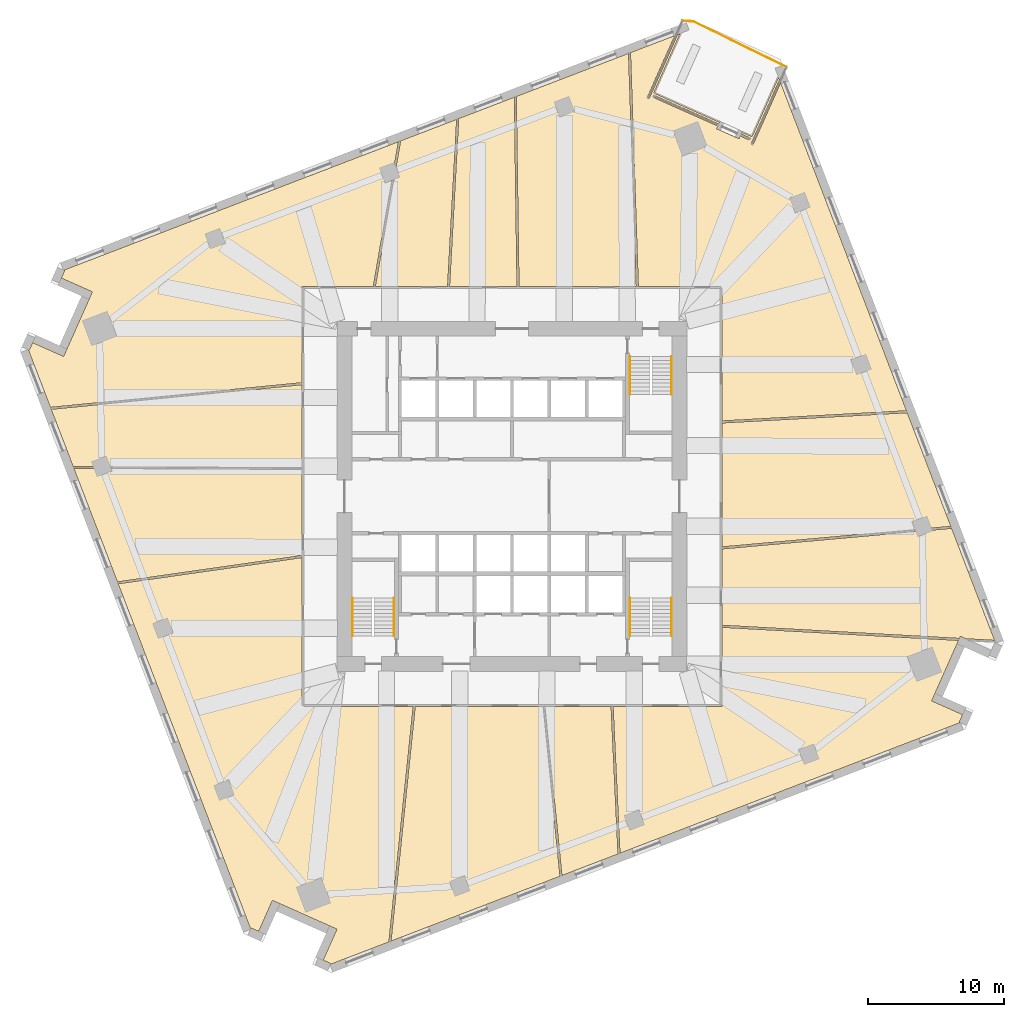
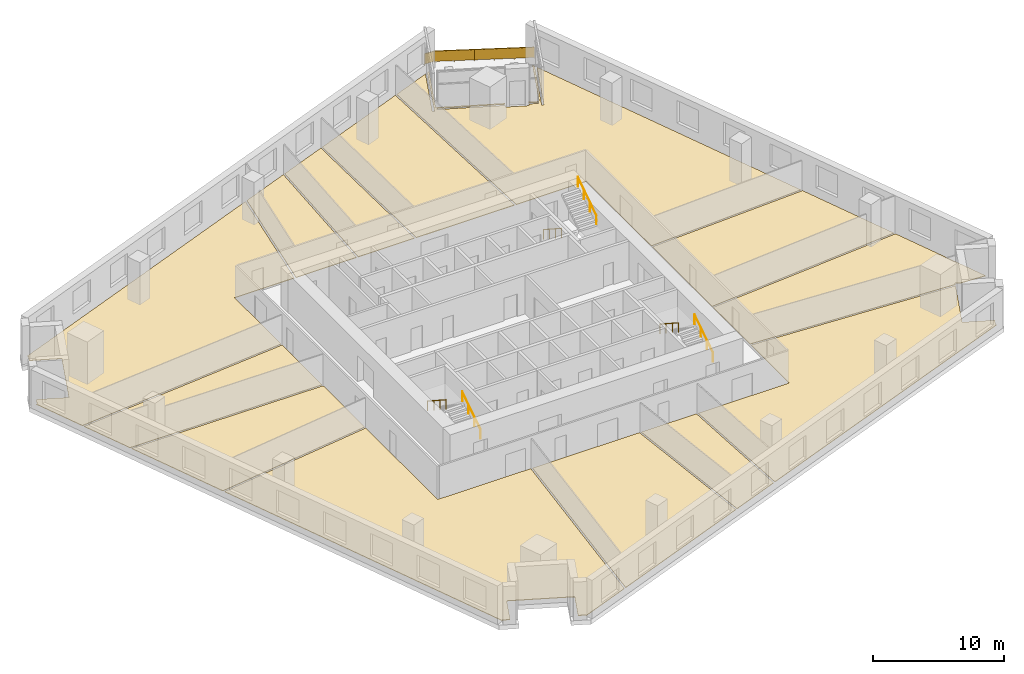
# One storey, part 13 of 14: 13 coverings, 7 railings.
"""IFC4 building model written with IfcOpenShell, lengths in metres."""

from ifc_helpers import new_model, si_unit, direction, frame, origin, origin_2d, place, context, subcontext, project, spatial, polyline, rectangle, circle, outline, extrude, material, layer, layer_set, type_object, element, save


model = new_model("IFC4")

# Units and contexts
model_context = context("Model", 3, precision=1e-05, world=origin(), true_north=direction((0.0, 1.0)))
body_context = subcontext(model_context, "Body", "Model", "MODEL_VIEW")
ifc_project = project(units=[si_unit("LENGTHUNIT", "METRE"), si_unit("AREAUNIT", "SQUARE_METRE"), si_unit("VOLUMEUNIT", "CUBIC_METRE"), si_unit("PLANEANGLEUNIT", "RADIAN"), si_unit("MASSUNIT", "GRAM", prefix="KILO")], contexts=[model_context])

# Site, building, storey
site_placement = place(None, origin())
site = spatial("IfcSite", under=ifc_project, at=site_placement, CompositionType="ELEMENT")
building_placement = place(site_placement, origin())
building = spatial("IfcBuilding", under=site, at=building_placement, Name="Dilmun Exchange Tower", CompositionType="ELEMENT")
storey_placement = place(building_placement, frame((0.0, 0.0, 102.10009765625)))
storey = spatial("IfcBuildingStorey", under=building, at=storey_placement, Name="L23", CompositionType="ELEMENT", Elevation=102.10009765625)

# Coverings
ifc_material_1 = material(Name="Carpet floor finish 50")
ifc_layer_1 = layer(ifc_material_1, 0.050048828125)
ifc_layer_set_1 = layer_set([ifc_layer_1], Name="Carpet floor finish 50")
covering_type_1 = type_object("IfcCoveringType", Name="Carpet floor finish 50", PredefinedType="FLOORING", material=ifc_layer_set_1)
covering_1_placement = place(storey_placement, origin())
element("IfcCovering", 1, at=covering_1_placement, inside=storey, type_object=covering_type_1, Name="Carpet floor finish 50 Break-out lounge 1", PredefinedType="FLOORING", context=body_context, shape_type="SweptSolid", body=[
    extrude(outline(polyline([(-15.47509765625, 1.974609375), (-15.47509765625, -4.361083984375), (-29.07177734375, -6.298583984375), (-32.278076171875, 2.05419921875), (-15.47509765625, 1.974609375)])), origin(), (0.0, 0.0, 1.0), 0.0498046875),
])
covering_2_placement = place(storey_placement, origin())
element("IfcCovering", 2, at=covering_2_placement, inside=storey, type_object=covering_type_1, Name="Carpet floor finish 50 Open office 1", PredefinedType="FLOORING", context=body_context, shape_type="SweptSolid", body=[
    extrude(outline(polyline([(-10.220947265625, 15.47509765625), (-15.47509765625, 15.47509765625), (-15.47509765625, 8.377197265625), (-34.0078125, 6.56005859375), (-35.635498046875, 10.800537109375), (-35.570556640625, 10.771728515625), (-35.570556640625, 10.771484375), (-35.5703125, 10.771484375), (-35.570068359375, 10.771484375), (-35.56982421875, 10.771484375), (-35.569580078125, 10.771484375), (-35.569580078125, 10.771484375), (-35.5693359375, 10.771484375), (-35.569091796875, 10.771484375), (-35.56884765625, 10.771728515625), (-35.56884765625, 10.771728515625), (-35.568603515625, 10.77197265625), (-35.568603515625, 10.77197265625), (-35.568359375, 10.772216796875), (-35.568115234375, 10.772216796875), (-35.568115234375, 10.7724609375), (-35.568115234375, 10.772705078125), (-35.3203125, 11.329345703125), (-33.0380859375, 10.313232421875), (-33.0380859375, 10.31298828125), (-33.037841796875, 10.31298828125), (-33.03759765625, 10.31298828125), (-33.037353515625, 10.31298828125), (-33.037109375, 10.31298828125), (-33.037109375, 10.31298828125), (-33.036865234375, 10.31298828125), (-33.03662109375, 10.313232421875), (-33.036376953125, 10.313232421875), (-33.036376953125, 10.313232421875), (-33.0361328125, 10.3134765625), (-33.035888671875, 10.313720703125), (-33.035888671875, 10.313720703125), (-33.03564453125, 10.31396484375), (-33.03564453125, 10.31396484375), (-33.035400390625, 10.314208984375), (-32.79150390625, 10.8623046875), (-32.79150390625, 10.862548828125), (-32.791259765625, 10.86279296875), (-32.791259765625, 10.86279296875), (-31.16455078125, 14.5166015625), (-31.164306640625, 14.5166015625), (-31.164306640625, 14.516845703125), (-31.164306640625, 14.51708984375), (-31.164306640625, 14.51708984375), (-30.920654296875, 15.064697265625), (-30.92041015625, 15.06494140625), (-30.92041015625, 15.065185546875), (-30.92041015625, 15.065185546875), (-30.92041015625, 15.0654296875), (-30.92041015625, 15.065673828125), (-30.92041015625, 15.06591796875), (-30.92041015625, 15.066162109375), (-30.92041015625, 15.06640625), (-30.920654296875, 15.06640625), (-30.920654296875, 15.066650390625), (-30.9208984375, 15.06689453125), (-30.9208984375, 15.06689453125), (-30.921142578125, 15.067138671875), (-30.921142578125, 15.067138671875), (-30.92138671875, 15.0673828125), (-30.921630859375, 15.0673828125), (-33.20361328125, 16.08349609375), (-32.955810546875, 16.639892578125), (-32.95556640625, 16.64013671875), (-32.95556640625, 16.640380859375), (-32.95556640625, 16.640380859375), (-32.95556640625, 16.640625), (-32.95556640625, 16.640869140625), (-32.95556640625, 16.64111328125), (-32.95556640625, 16.641357421875), (-32.955810546875, 16.6416015625), (-32.955810546875, 16.6416015625), (-32.955810546875, 16.641845703125), (-32.9560546875, 16.64208984375), (-32.9560546875, 16.64208984375), (-32.956298828125, 16.642333984375), (-32.956298828125, 16.642333984375), (-32.95654296875, 16.642578125), (-32.956787109375, 16.642578125), (-33.021484375, 16.67138671875), (-8.367431640625, 26.13525390625), (-10.220947265625, 15.47509765625)])), origin(), (0.0, 0.0, 1.0), 0.0498046875),
])
covering_3_placement = place(storey_placement, origin())
element("IfcCovering", 3, at=covering_3_placement, inside=storey, type_object=covering_type_1, Name="Carpet floor finish 50 Open office 2", PredefinedType="FLOORING", context=body_context, shape_type="SweptSolid", body=[
    extrude(outline(polyline([(-15.47509765625, -4.5126953125), (-15.47509765625, -15.47509765625), (-7.280517578125, -15.47509765625), (-9.0712890625, -32.829345703125), (-13.384521484375, -34.485107421875), (-13.355712890625, -34.420166015625), (-13.35546875, -34.420166015625), (-13.35546875, -34.419921875), (-13.35546875, -34.419677734375), (-13.35546875, -34.41943359375), (-13.35546875, -34.419189453125), (-13.35546875, -34.419189453125), (-13.35546875, -34.4189453125), (-13.35546875, -34.418701171875), (-13.355712890625, -34.41845703125), (-13.355712890625, -34.41845703125), (-13.355712890625, -34.418212890625), (-13.35595703125, -34.418212890625), (-13.356201171875, -34.41796875), (-13.356201171875, -34.417724609375), (-13.3564453125, -34.417724609375), (-13.356689453125, -34.41748046875), (-13.9130859375, -34.169921875), (-12.897216796875, -31.8876953125), (-12.89697265625, -31.8876953125), (-12.89697265625, -31.887451171875), (-12.89697265625, -31.88720703125), (-12.89697265625, -31.886962890625), (-12.89697265625, -31.88671875), (-12.89697265625, -31.88671875), (-12.89697265625, -31.886474609375), (-12.897216796875, -31.88623046875), (-12.897216796875, -31.885986328125), (-12.897216796875, -31.885986328125), (-12.8974609375, -31.8857421875), (-12.8974609375, -31.885498046875), (-12.897705078125, -31.885498046875), (-12.897705078125, -31.88525390625), (-12.89794921875, -31.88525390625), (-12.898193359375, -31.885009765625), (-13.4462890625, -31.64111328125), (-13.4462890625, -31.64111328125), (-13.446533203125, -31.640869140625), (-13.44677734375, -31.640869140625), (-17.10009765625, -30.01416015625), (-17.10009765625, -30.01416015625), (-17.100341796875, -30.01416015625), (-17.6484375, -29.77001953125), (-17.648681640625, -29.77001953125), (-17.64892578125, -29.77001953125), (-17.649169921875, -29.77001953125), (-17.6494140625, -29.77001953125), (-17.6494140625, -29.77001953125), (-17.649658203125, -29.77001953125), (-17.64990234375, -29.77001953125), (-17.650146484375, -29.77001953125), (-17.650390625, -29.77001953125), (-17.650390625, -29.770263671875), (-17.650634765625, -29.770263671875), (-17.650634765625, -29.7705078125), (-17.65087890625, -29.7705078125), (-17.65087890625, -29.770751953125), (-17.651123046875, -29.77099609375), (-17.651123046875, -29.77099609375), (-18.667236328125, -32.052978515625), (-19.223876953125, -31.805419921875), (-19.22412109375, -31.80517578125), (-19.22412109375, -31.80517578125), (-19.224365234375, -31.80517578125), (-19.224609375, -31.80517578125), (-19.224853515625, -31.80517578125), (-19.22509765625, -31.80517578125), (-19.22509765625, -31.80517578125), (-19.225341796875, -31.805419921875), (-19.2255859375, -31.805419921875), (-19.2255859375, -31.805419921875), (-19.225830078125, -31.8056640625), (-19.22607421875, -31.8056640625), (-19.226318359375, -31.805908203125), (-19.226318359375, -31.805908203125), (-19.226318359375, -31.80615234375), (-19.2265625, -31.806396484375), (-19.25537109375, -31.87109375), (-29.0166015625, -6.442138671875), (-15.47509765625, -4.5126953125)])), origin(), (0.0, 0.0, 1.0), 0.0498046875),
])
covering_4_placement = place(storey_placement, origin())
element("IfcCovering", 4, at=covering_4_placement, inside=storey, type_object=covering_type_1, Name="Carpet floor finish 50 Analyst office 1", PredefinedType="FLOORING", context=body_context, shape_type="SweptSolid", body=[
    extrude(outline(polyline([(-7.1298828125, -15.47509765625), (2.284423828125, -15.47509765625), (3.534912109375, -27.990234375), (-8.914306640625, -32.76904296875), (-7.1298828125, -15.47509765625)])), origin(), (0.0, 0.0, 1.0), 0.0498046875),
])
covering_5_placement = place(storey_placement, origin())
element("IfcCovering", 5, at=covering_5_placement, inside=storey, type_object=covering_type_1, Name="Carpet floor finish 50 Break-out lounge 2", PredefinedType="FLOORING", context=body_context, shape_type="SweptSolid", body=[
    extrude(outline(polyline([(0.36767578125, 15.47509765625), (-4.597412109375, 15.47509765625), (-3.9248046875, 27.8408203125), (0.16943359375, 29.412353515625), (0.36767578125, 15.47509765625)])), origin(), (0.0, 0.0, 1.0), 0.0498046875),
])
covering_6_placement = place(storey_placement, origin())
element("IfcCovering", 6, at=covering_6_placement, inside=storey, type_object=covering_type_1, Name="Carpet floor finish 50 Analyst office 2", PredefinedType="FLOORING", context=body_context, shape_type="SweptSolid", body=[
    extrude(outline(polyline([(0.318603515625, 29.469482421875), (8.58447265625, 32.642578125), (9.15966796875, 15.47509765625), (0.517578125, 15.47509765625), (0.318603515625, 29.469482421875)])), origin(), (0.0, 0.0, 1.0), 0.0498046875),
])
covering_7_placement = place(storey_placement, origin())
element("IfcCovering", 7, at=covering_7_placement, inside=storey, type_object=covering_type_1, Name="Carpet floor finish 50 Garden lounge", PredefinedType="FLOORING", context=body_context, shape_type="SweptSolid", body=[
    extrude(outline(polyline([(10.44287109375, 29.72412109375), (15.295654296875, 27.5634765625), (15.2373046875, 27.4326171875), (10.453125, 29.562744140625), (10.452880859375, 29.56298828125), (10.452880859375, 29.56298828125), (10.45263671875, 29.56298828125), (10.452392578125, 29.56298828125), (10.4521484375, 29.56298828125), (10.451904296875, 29.56298828125), (10.451904296875, 29.56298828125), (10.45166015625, 29.56298828125), (10.451416015625, 29.562744140625), (10.451416015625, 29.562744140625), (10.451171875, 29.5625), (10.450927734375, 29.5625), (10.45068359375, 29.562255859375), (10.45068359375, 29.56201171875), (10.45068359375, 29.56201171875), (10.450439453125, 29.561767578125), (10.385498046875, 29.41552734375), (10.385498046875, 29.415283203125), (10.38525390625, 29.415283203125), (10.38525390625, 29.4150390625), (10.38525390625, 29.414794921875), (10.38525390625, 29.414794921875), (10.38525390625, 29.41455078125), (10.38525390625, 29.414306640625), (10.385498046875, 29.4140625), (10.385498046875, 29.413818359375), (10.385498046875, 29.413818359375), (10.3857421875, 29.41357421875), (10.3857421875, 29.413330078125), (10.385986328125, 29.413330078125), (10.385986328125, 29.4130859375), (10.38623046875, 29.4130859375), (10.386474609375, 29.4130859375), (15.170654296875, 27.282958984375), (15.08203125, 27.083740234375), (15.08203125, 27.08349609375), (15.081787109375, 27.08349609375), (15.081787109375, 27.083251953125), (15.081787109375, 27.0830078125), (15.081787109375, 27.082763671875), (15.081787109375, 27.08251953125), (15.08203125, 27.08251953125), (15.08203125, 27.082275390625), (15.08203125, 27.08203125), (15.082275390625, 27.081787109375), (15.082275390625, 27.081787109375), (15.08251953125, 27.08154296875), (15.08251953125, 27.081298828125), (15.082763671875, 27.081298828125), (15.0830078125, 27.081298828125), (15.0830078125, 27.0810546875), (16.7275390625, 26.34912109375), (16.727783203125, 26.348876953125), (16.727783203125, 26.348876953125), (16.72802734375, 26.348876953125), (16.728271484375, 26.348876953125), (16.728515625, 26.348876953125), (16.728515625, 26.348876953125), (16.728759765625, 26.348876953125), (16.72900390625, 26.34912109375), (16.729248046875, 26.34912109375), (16.7294921875, 26.34912109375), (16.7294921875, 26.349365234375), (16.729736328125, 26.349365234375), (16.729736328125, 26.349609375), (16.72998046875, 26.349609375), (16.72998046875, 26.349853515625), (16.72998046875, 26.35009765625), (16.81884765625, 26.54931640625), (17.4921875, 26.249267578125), (17.4921875, 26.249267578125), (17.492431640625, 26.249267578125), (17.49267578125, 26.2490234375), (17.492919921875, 26.2490234375), (17.4931640625, 26.2490234375), (17.493408203125, 26.2490234375), (17.493408203125, 26.249267578125), (17.49365234375, 26.249267578125), (17.493896484375, 26.249267578125), (17.493896484375, 26.24951171875), (17.494140625, 26.24951171875), (17.494384765625, 26.249755859375), (17.494384765625, 26.249755859375), (17.49462890625, 26.25), (17.49462890625, 26.25), (17.494873046875, 26.250244140625), (17.559814453125, 26.396484375), (17.559814453125, 26.396484375), (17.56005859375, 26.396728515625), (17.56005859375, 26.39697265625), (17.56005859375, 26.397216796875), (17.56005859375, 26.3974609375), (17.56005859375, 26.397705078125), (17.56005859375, 26.397705078125), (17.559814453125, 26.39794921875), (17.559814453125, 26.398193359375), (17.559814453125, 26.398193359375), (17.5595703125, 26.3984375), (17.5595703125, 26.398681640625), (17.559326171875, 26.398681640625), (17.55908203125, 26.39892578125), (17.55908203125, 26.39892578125), (17.558837890625, 26.399169921875), (16.885498046875, 26.698974609375), (16.943603515625, 26.82958984375), (17.685546875, 26.499267578125), (19.635986328125, 30.8798828125), (19.70849609375, 30.691162109375), (17.6025390625, 25.961669921875), (17.6025390625, 25.96142578125), (17.6025390625, 25.961181640625), (17.602294921875, 25.9609375), (17.602294921875, 25.960693359375), (17.602294921875, 25.960693359375), (17.602294921875, 25.96044921875), (17.6025390625, 25.960205078125), (17.6025390625, 25.9599609375), (17.6025390625, 25.959716796875), (17.602783203125, 25.959716796875), (17.602783203125, 25.95947265625), (17.60302734375, 25.95947265625), (17.60302734375, 25.959228515625), (17.603271484375, 25.958984375), (17.603515625, 25.958984375), (17.603515625, 25.958984375), (17.749755859375, 25.893798828125), (17.75, 25.893798828125), (17.75, 25.893798828125), (17.750244140625, 25.893798828125), (17.75048828125, 25.893798828125), (17.750732421875, 25.893798828125), (17.7509765625, 25.893798828125), (17.751220703125, 25.893798828125), (17.751220703125, 25.893798828125), (17.75146484375, 25.893798828125), (17.751708984375, 25.89404296875), (17.751708984375, 25.89404296875), (17.751953125, 25.894287109375), (17.752197265625, 25.894287109375), (17.752197265625, 25.89453125), (17.752197265625, 25.894775390625), (17.75244140625, 25.894775390625), (19.79150390625, 30.474609375), (29.06787109375, 6.30908203125), (15.47509765625, 5.560302734375), (15.47509765625, 15.47509765625), (9.309814453125, 15.47509765625), (8.732666015625, 32.699462890625), (11.98779296875, 33.948974609375), (9.94873046875, 29.369384765625), (9.94873046875, 29.369140625), (9.94873046875, 29.368896484375), (9.948486328125, 29.36865234375), (9.948486328125, 29.368408203125), (9.948486328125, 29.368408203125), (9.948486328125, 29.3681640625), (9.94873046875, 29.367919921875), (9.94873046875, 29.36767578125), (9.94873046875, 29.367431640625), (9.948974609375, 29.367431640625), (9.948974609375, 29.3671875), (9.94921875, 29.3671875), (9.94921875, 29.366943359375), (9.949462890625, 29.36669921875), (9.94970703125, 29.36669921875), (9.94970703125, 29.36669921875), (10.095947265625, 29.301513671875), (10.09619140625, 29.301513671875), (10.09619140625, 29.301513671875), (10.096435546875, 29.301513671875), (10.0966796875, 29.301513671875), (10.096923828125, 29.301513671875), (10.09716796875, 29.301513671875), (10.097412109375, 29.301513671875), (10.097412109375, 29.301513671875), (10.09765625, 29.301513671875), (10.097900390625, 29.3017578125), (10.097900390625, 29.3017578125), (10.09814453125, 29.302001953125), (10.098388671875, 29.302001953125), (10.098388671875, 29.30224609375), (10.098388671875, 29.302490234375), (10.0986328125, 29.302490234375), (12.204345703125, 34.031982421875), (12.39306640625, 34.1044921875), (10.44287109375, 29.72412109375)])), origin(), (0.0, 0.0, 1.0), 0.0498046875),
])
covering_8_placement = place(storey_placement, origin())
element("IfcCovering", 8, at=covering_8_placement, inside=storey, type_object=covering_type_1, Name="Carpet floor finish 50 Open office 3", PredefinedType="FLOORING", context=body_context, shape_type="SweptSolid", body=[
    extrude(outline(polyline([(7.44921875, -15.47509765625), (15.47509765625, -15.47509765625), (15.47509765625, -9.64599609375), (32.9033203125, -10.611328125), (32.79150390625, -10.8623046875), (32.79150390625, -10.862548828125), (32.791259765625, -10.86279296875), (32.791259765625, -10.86279296875), (31.16455078125, -14.5166015625), (31.164306640625, -14.5166015625), (31.164306640625, -14.516845703125), (31.164306640625, -14.51708984375), (31.164306640625, -14.51708984375), (30.920654296875, -15.064697265625), (30.92041015625, -15.06494140625), (30.92041015625, -15.065185546875), (30.92041015625, -15.065185546875), (30.92041015625, -15.0654296875), (30.92041015625, -15.065673828125), (30.92041015625, -15.06591796875), (30.92041015625, -15.066162109375), (30.92041015625, -15.06640625), (30.920654296875, -15.06640625), (30.920654296875, -15.066650390625), (30.9208984375, -15.06689453125), (30.9208984375, -15.06689453125), (30.921142578125, -15.067138671875), (30.921142578125, -15.067138671875), (30.92138671875, -15.0673828125), (30.921630859375, -15.0673828125), (33.20361328125, -16.08349609375), (32.955810546875, -16.639892578125), (32.95556640625, -16.64013671875), (32.95556640625, -16.640380859375), (32.95556640625, -16.640380859375), (32.95556640625, -16.640625), (32.95556640625, -16.640869140625), (32.95556640625, -16.64111328125), (32.95556640625, -16.641357421875), (32.955810546875, -16.6416015625), (32.955810546875, -16.6416015625), (32.955810546875, -16.641845703125), (32.9560546875, -16.64208984375), (32.9560546875, -16.64208984375), (32.956298828125, -16.642333984375), (32.956298828125, -16.642333984375), (32.95654296875, -16.642578125), (32.956787109375, -16.642578125), (33.021484375, -16.67138671875), (7.956787109375, -26.292724609375), (7.44921875, -15.47509765625)])), origin(), (0.0, 0.0, 1.0), 0.0498046875),
])
covering_9_placement = place(storey_placement, origin())
element("IfcCovering", 9, at=covering_9_placement, inside=storey, type_object=covering_type_1, Name="Carpet floor finish 50 Fund manager office", PredefinedType="FLOORING", context=body_context, shape_type="SweptSolid", body=[
    extrude(outline(polyline([(15.47509765625, -3.72119140625), (15.47509765625, 5.41015625), (29.124267578125, 6.161865234375), (32.33740234375, -2.20849609375), (15.47509765625, -3.72119140625)])), origin(), (0.0, 0.0, 1.0), 0.0498046875),
])
covering_10_placement = place(storey_placement, origin())
element("IfcCovering", 10, at=covering_10_placement, inside=storey, type_object=covering_type_1, Name="Carpet floor finish 50 Break-out lounge 3", PredefinedType="FLOORING", context=body_context, shape_type="SweptSolid", body=[
    extrude(outline(polyline([(33.43603515625, -10.490478515625), (33.0380859375, -10.313232421875), (33.0380859375, -10.31298828125), (33.037841796875, -10.31298828125), (33.03759765625, -10.31298828125), (33.037353515625, -10.31298828125), (33.037109375, -10.31298828125), (33.037109375, -10.31298828125), (33.036865234375, -10.31298828125), (33.03662109375, -10.313232421875), (33.036376953125, -10.313232421875), (33.036376953125, -10.313232421875), (33.0361328125, -10.3134765625), (33.035888671875, -10.313720703125), (33.035888671875, -10.313720703125), (33.03564453125, -10.31396484375), (33.03564453125, -10.31396484375), (33.035400390625, -10.314208984375), (32.968505859375, -10.464599609375), (15.47509765625, -9.495849609375), (15.47509765625, -3.871826171875), (32.393310546875, -2.35400390625), (35.5615234375, -10.608154296875), (33.43603515625, -10.490478515625)])), origin(), (0.0, 0.0, 1.0), 0.0498046875),
])

# Railings
ifc_material_2 = material(Name="Stainless steel", Category="steel")
railing_type_1 = type_object("IfcRailingType", Name="Stair handrail 900", PredefinedType="HANDRAIL", material=ifc_material_2)
railing_1_placement = place(storey_placement, frame((8.699951171875, 10.300048828125, 0.181640625)))
element("IfcRailing", 11, at=railing_1_placement, inside=storey, type_object=railing_type_1, Name="L23 ST1 stair handrail 1", PredefinedType="HANDRAIL", context=body_context, shape_type="SweptSolid", body=[
    extrude(circle(Radius=0.02392578125, at=origin_2d()), frame((0.0, 0.0, 0.8759765625), z_axis=(0.0, -0.838672427954, 0.544636170843), x_axis=(1.0, 0.0, 0.0)), (0.0, 0.0, 1.0), 3.338623046875),
    extrude(circle(Radius=0.02099609375, at=origin_2d()), origin(), (0.0, 0.0, 1.0), 0.851806640625),
    extrude(circle(Radius=0.02099609375, at=origin_2d()), frame((0.0, -0.933349609375, 0.606201171875)), (0.0, 0.0, 1.0), 0.851806640625),
    extrude(circle(Radius=0.02099609375, at=origin_2d()), frame((0.0, -1.86669921875, 1.212158203125)), (0.0, 0.0, 1.0), 0.851806640625),
    extrude(circle(Radius=0.02099609375, at=origin_2d()), frame((0.0, -2.800048828125, 1.818359375)), (0.0, 0.0, 1.0), 0.851806640625),
])
for number, where, name in (
    (12, (11.75, 7.5, 2.181640625), "L23 ST1 stair handrail 2"),
    (13, (-8.699951171875, -10.300048828125, 0.181640625), "L23 ST2 stair handrail 1"),
):
    element("IfcRailing", number, at=place(storey_placement, frame(where)), inside=storey, type_object=railing_type_1, Name=name, PredefinedType="HANDRAIL", context=body_context, shape_type="SweptSolid", body=[
        extrude(circle(Radius=0.02392578125, at=origin_2d()), frame((0.0, 0.0, 0.8759765625), z_axis=(0.0, 0.838672427954, 0.544636170843), x_axis=(-1.0, 0.0, 0.0)), (0.0, 0.0, 1.0), 3.338623046875),
        extrude(circle(Radius=0.02099609375, at=origin_2d()), origin(), (0.0, 0.0, 1.0), 0.851806640625),
        extrude(circle(Radius=0.02099609375, at=origin_2d()), frame((0.0, 0.933349609375, 0.606201171875)), (0.0, 0.0, 1.0), 0.851806640625),
        extrude(circle(Radius=0.02099609375, at=origin_2d()), frame((0.0, 1.86669921875, 1.212158203125)), (0.0, 0.0, 1.0), 0.851806640625),
        extrude(circle(Radius=0.02099609375, at=origin_2d()), frame((0.0, 2.800048828125, 1.818359375)), (0.0, 0.0, 1.0), 0.851806640625),
    ])
railing_2_placement = place(storey_placement, frame((-11.75, -7.5, 2.181640625)))
element("IfcRailing", 14, at=railing_2_placement, inside=storey, type_object=railing_type_1, Name="L23 ST2 stair handrail 2", PredefinedType="HANDRAIL", context=body_context, shape_type="SweptSolid", body=[
    extrude(circle(Radius=0.02392578125, at=origin_2d()), frame((0.0, 0.0, 0.8759765625), z_axis=(0.0, -0.838672427954, 0.544636170843), x_axis=(1.0, 0.0, 0.0)), (0.0, 0.0, 1.0), 3.338623046875),
    extrude(circle(Radius=0.02099609375, at=origin_2d()), origin(), (0.0, 0.0, 1.0), 0.851806640625),
    extrude(circle(Radius=0.02099609375, at=origin_2d()), frame((0.0, -0.933349609375, 0.606201171875)), (0.0, 0.0, 1.0), 0.851806640625),
    extrude(circle(Radius=0.02099609375, at=origin_2d()), frame((0.0, -1.86669921875, 1.212158203125)), (0.0, 0.0, 1.0), 0.851806640625),
    extrude(circle(Radius=0.02099609375, at=origin_2d()), frame((0.0, -2.800048828125, 1.818359375)), (0.0, 0.0, 1.0), 0.851806640625),
])
railing_3_placement = place(storey_placement, frame((11.75, -10.300048828125, 0.181640625)))
element("IfcRailing", 15, at=railing_3_placement, inside=storey, type_object=railing_type_1, Name="L23 ST3 stair handrail 1", PredefinedType="HANDRAIL", context=body_context, shape_type="SweptSolid", body=[
    extrude(circle(Radius=0.02392578125, at=origin_2d()), frame((0.0, 0.0, 0.8759765625), z_axis=(0.0, 0.838672427954, 0.544636170843), x_axis=(-1.0, 0.0, 0.0)), (0.0, 0.0, 1.0), 3.338623046875),
    extrude(circle(Radius=0.02099609375, at=origin_2d()), origin(), (0.0, 0.0, 1.0), 0.851806640625),
    extrude(circle(Radius=0.02099609375, at=origin_2d()), frame((0.0, 0.933349609375, 0.606201171875)), (0.0, 0.0, 1.0), 0.851806640625),
    extrude(circle(Radius=0.02099609375, at=origin_2d()), frame((0.0, 1.86669921875, 1.212158203125)), (0.0, 0.0, 1.0), 0.851806640625),
    extrude(circle(Radius=0.02099609375, at=origin_2d()), frame((0.0, 2.800048828125, 1.818359375)), (0.0, 0.0, 1.0), 0.851806640625),
])
railing_4_placement = place(storey_placement, frame((8.699951171875, -7.5, 2.181640625)))
element("IfcRailing", 16, at=railing_4_placement, inside=storey, type_object=railing_type_1, Name="L23 ST3 stair handrail 2", PredefinedType="HANDRAIL", context=body_context, shape_type="SweptSolid", body=[
    extrude(circle(Radius=0.02392578125, at=origin_2d()), frame((0.0, 0.0, 0.8759765625), z_axis=(0.0, -0.838672427954, 0.544636170843), x_axis=(1.0, 0.0, 0.0)), (0.0, 0.0, 1.0), 3.338623046875),
    extrude(circle(Radius=0.02099609375, at=origin_2d()), origin(), (0.0, 0.0, 1.0), 0.851806640625),
    extrude(circle(Radius=0.02099609375, at=origin_2d()), frame((0.0, -0.933349609375, 0.606201171875)), (0.0, 0.0, 1.0), 0.851806640625),
    extrude(circle(Radius=0.02099609375, at=origin_2d()), frame((0.0, -1.86669921875, 1.212158203125)), (0.0, 0.0, 1.0), 0.851806640625),
    extrude(circle(Radius=0.02099609375, at=origin_2d()), frame((0.0, -2.800048828125, 1.818359375)), (0.0, 0.0, 1.0), 0.851806640625),
])

# Covering
ifc_material_3 = material(Name="Stone floor finish 50", Category="masonry")
ifc_layer_2 = layer(ifc_material_3, 0.050048828125)
ifc_layer_set_2 = layer_set([ifc_layer_2], Name="Stone floor finish 50")
covering_type_2 = type_object("IfcCoveringType", Name="Stone floor finish 50", PredefinedType="FLOORING", material=ifc_layer_set_2)
covering_11_placement = place(storey_placement, origin())
element("IfcCovering", 17, at=covering_11_placement, inside=storey, type_object=covering_type_2, Name="Stone floor finish 50 Reception", PredefinedType="FLOORING", context=body_context, shape_type="SweptSolid", body=[
    extrude(outline(polyline([(-15.47509765625, 2.12451171875), (-32.335693359375, 2.20458984375), (-33.951904296875, 6.414794921875), (-15.47509765625, 8.2265625), (-15.47509765625, 2.12451171875)])), origin(), (0.0, 0.0, 1.0), 0.0498046875),
])

# Railing
railing_type_2 = type_object("IfcRailingType", Name="Terrace guard 1100 stainless steel", PredefinedType="GUARDRAIL", material=ifc_material_2)
railing_5_placement = place(storey_placement, frame((12.564453125, 35.042236328125, 0.0)))
element("IfcRailing", 18, at=railing_5_placement, inside=storey, type_object=railing_type_2, Name="Terrace guard 1", PredefinedType="GUARDRAIL", context=body_context, shape_type="SweptSolid", body=[
    extrude(circle(Radius=0.02392578125, at=origin_2d()), frame((0.0, 0.0, 1.076171875), z_axis=(0.997934852609, -0.064234180534, 0.0), x_axis=(0.064234180534, 0.997934852609, 0.0)), (0.0, 0.0, 1.0), 0.79443359375),
    extrude(rectangle(XDim=0.011962890625, YDim=0.951904296875, at=origin_2d()), frame((0.0, 0.0, 0.576171875), z_axis=(0.997934852609, -0.064234180534, 0.0), x_axis=(0.064234180534, 0.997934852609, 0.0)), (0.0, 0.0, 1.0), 0.79443359375),
    extrude(circle(Radius=0.02392578125, at=origin_2d()), frame((0.792724609375, -0.051025390625, 1.076171875), z_axis=(0.898261288441, -0.43946178183, 0.0), x_axis=(0.43946178183, 0.898261288441, 0.0)), (0.0, 0.0, 1.0), 7.63818359375),
    extrude(rectangle(XDim=0.011962890625, YDim=0.951904296875, at=origin_2d()), frame((0.792724609375, -0.051025390625, 0.576171875), z_axis=(0.898261288441, -0.43946178183, 0.0), x_axis=(0.43946178183, 0.898261288441, 0.0)), (0.0, 0.0, 1.0), 7.63818359375),
    extrude(circle(Radius=0.02099609375, at=origin_2d()), origin(), (0.0, 0.0, 1.0), 1.052001953125),
    extrude(circle(Radius=0.02099609375, at=origin_2d()), frame((0.792724609375, -0.051025390625, 0.0)), (0.0, 0.0, 1.0), 1.052001953125),
    extrude(circle(Radius=0.02099609375, at=origin_2d()), frame((2.1650390625, -0.722412109375, 0.0)), (0.0, 0.0, 1.0), 1.052001953125),
    extrude(circle(Radius=0.02099609375, at=origin_2d()), frame((3.537109375, -1.393798828125, 0.0)), (0.0, 0.0, 1.0), 1.052001953125),
    extrude(circle(Radius=0.02099609375, at=origin_2d()), frame((4.909423828125, -2.06494140625, 0.0)), (0.0, 0.0, 1.0), 1.052001953125),
    extrude(circle(Radius=0.02099609375, at=origin_2d()), frame((6.281494140625, -2.736328125, 0.0)), (0.0, 0.0, 1.0), 1.052001953125),
    extrude(circle(Radius=0.02099609375, at=origin_2d()), frame((7.65380859375, -3.40771484375, 0.0)), (0.0, 0.0, 1.0), 1.052001953125),
])

# Coverings
ifc_material_4 = material(Name="Tile floor finish 50")
ifc_layer_3 = layer(ifc_material_4, 0.050048828125)
ifc_layer_set_3 = layer_set([ifc_layer_3], Name="Tile floor finish 50")
covering_type_3 = type_object("IfcCoveringType", Name="Tile floor finish 50", PredefinedType="FLOORING", material=ifc_layer_set_3)
covering_12_placement = place(storey_placement, origin())
element("IfcCovering", 19, at=covering_12_placement, inside=storey, type_object=covering_type_3, Name="Tile floor finish 50 Pantry 1", PredefinedType="FLOORING", context=body_context, shape_type="SweptSolid", body=[
    extrude(outline(polyline([(-10.068603515625, 15.47509765625), (-8.204345703125, 26.197998046875), (-4.078125, 27.78173828125), (-4.74755859375, 15.47509765625), (-10.068603515625, 15.47509765625)])), origin(), (0.0, 0.0, 1.0), 0.0498046875),
])
covering_13_placement = place(storey_placement, origin())
element("IfcCovering", 20, at=covering_13_placement, inside=storey, type_object=covering_type_3, Name="Tile floor finish 50 Pantry 2", PredefinedType="FLOORING", context=body_context, shape_type="SweptSolid", body=[
    extrude(outline(polyline([(2.435302734375, -15.47509765625), (7.299072265625, -15.47509765625), (7.809326171875, -26.349609375), (3.68017578125, -27.9345703125), (2.435302734375, -15.47509765625)])), origin(), (0.0, 0.0, 1.0), 0.0498046875),
])

save(model, "model.ifc")
